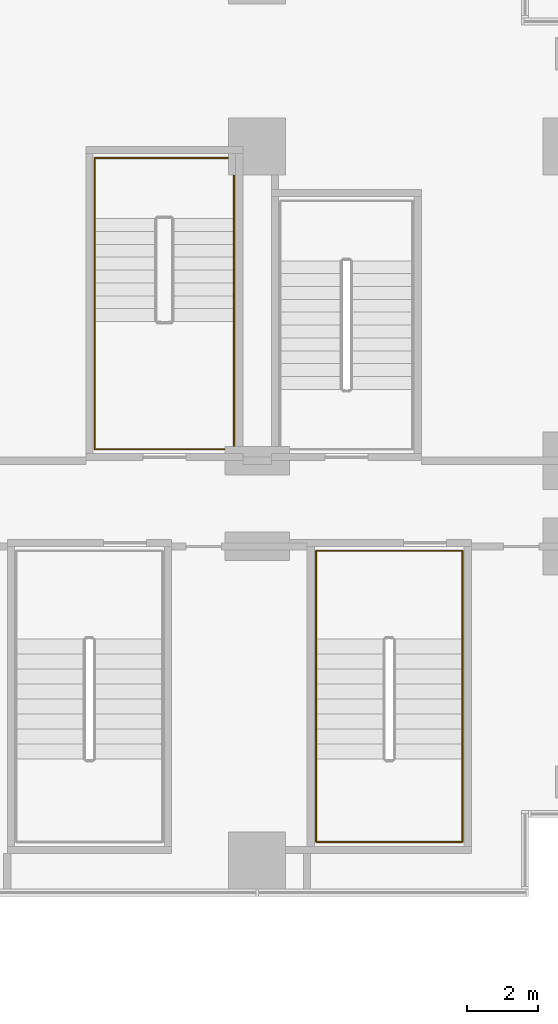
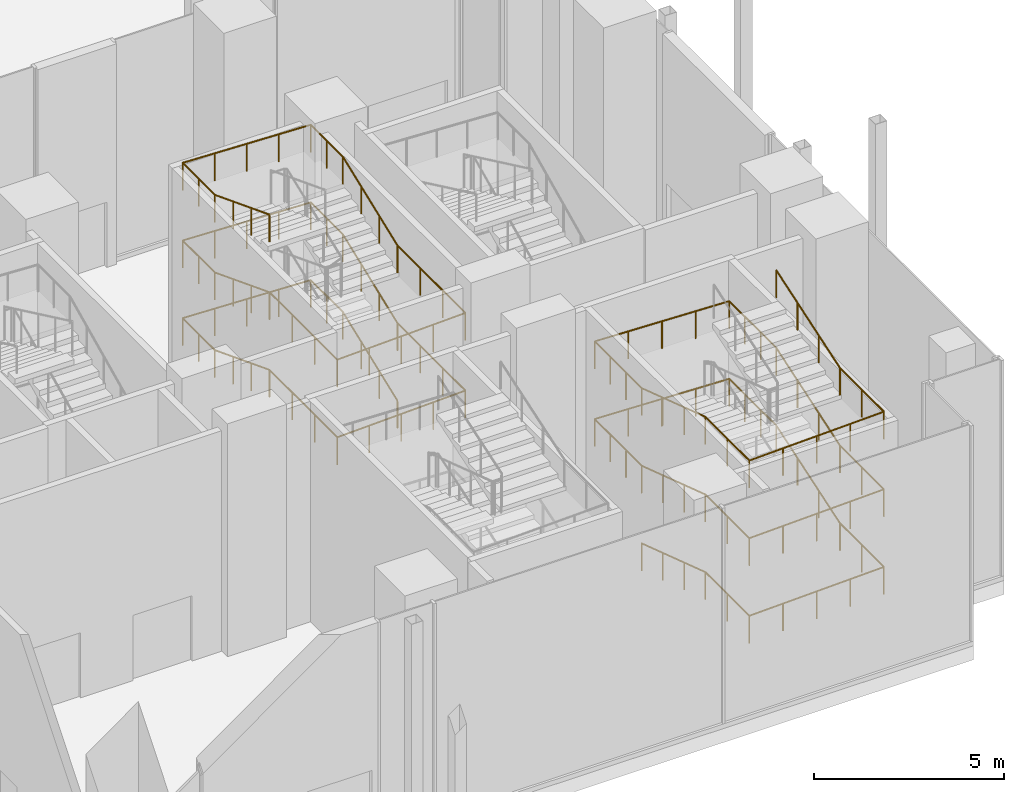
# One storey, part 38 of 41: 2 railings.
"""IFC4 building model written with IfcOpenShell, lengths in metres."""

import ifcopenshell
import ifcopenshell.guid

model = None  # the IFC model being written
_history = None  # IfcOwnerHistory: only IFC2X3 demands one
_inside = {}  # id of a spatial element -> (the spatial element, [elements in it])
_under = {}  # id of a project, library or spatial element -> (it, [spatial elements below it])
_declared = {}  # id of a project -> (the project, [libraries it declares])
_typed = {}  # id of a type object -> (the type object, [elements of that type])
_made_of = {}  # id of a material, layer set ... -> (it, [elements and type objects made of it])


def new_model(schema):
    """Start an empty IFC model of exactly this schema.

    Asked for "IFC4X3", IfcOpenShell would pick the latest addendum, in which some entities
    have other attributes; the version numbers below select the first issue.
    IFC2X3 requires an IfcOwnerHistory on every rooted entity: one is made here for all.
    """
    global model, _history
    if schema == "IFC4X3":
        model = ifcopenshell.file(schema_version=(4, 3, 0, 0))
    else:
        model = ifcopenshell.file(schema=schema)
    _inside.clear()
    _under.clear()
    _declared.clear()
    _typed.clear()
    _made_of.clear()
    _history = None
    if model.schema == "IFC2X3":
        org = make("IfcOrganization", Name="unknown")
        user = make(
            "IfcPersonAndOrganization",
            ThePerson=make("IfcPerson", FamilyName="unknown"),
            TheOrganization=org,
        )
        app = make(
            "IfcApplication",
            ApplicationDeveloper=org,
            Version="unknown",
            ApplicationFullName="unknown",
            ApplicationIdentifier="unknown",
        )
        _history = make(
            "IfcOwnerHistory",
            OwningUser=user,
            OwningApplication=app,
            ChangeAction="ADDED",
            CreationDate=0,
        )
    return model


def make(cls, **values):
    """One entity of the class cls with the attributes given. An attribute that is None is left unset."""
    return model.create_entity(
        cls, **{name: value for name, value in values.items() if value is not None}
    )


def rooted(cls, **values):
    """An entity with a GlobalId (a new one), such as an element, a storey or a relation."""
    return make(cls, GlobalId=ifcopenshell.guid.new(), OwnerHistory=_history, **values)


def si_unit(unit_type, name, prefix=None):
    """IfcSIUnit, for example si_unit("LENGTHUNIT", "METRE", prefix="MILLI")."""
    return make("IfcSIUnit", UnitType=unit_type, Prefix=prefix, Name=name)


def assignment(units):
    """IfcUnitAssignment: the units of a project."""
    return None if units is None else make("IfcUnitAssignment", Units=units)


def point(xyz):
    """IfcCartesianPoint."""
    return None if xyz is None else make("IfcCartesianPoint", Coordinates=xyz)


def direction(xyz):
    """IfcDirection."""
    return None if xyz is None else make("IfcDirection", DirectionRatios=xyz)


def frame(location, z_axis=None, x_axis=None):
    """IfcAxis2Placement3D, a coordinate frame: its origin and axes. An axis left out is left unset."""
    return make(
        "IfcAxis2Placement3D",
        Location=point(location),
        Axis=direction(z_axis),
        RefDirection=direction(x_axis),
    )


def frame_2d(location, x_axis=None):
    """IfcAxis2Placement2D, a coordinate frame in the plane: its origin and x axis."""
    return make(
        "IfcAxis2Placement2D", Location=point(location), RefDirection=direction(x_axis)
    )


def origin():
    """The frame at (0, 0, 0) with its axes left unset."""
    return frame((0.0, 0.0, 0.0))


def origin_2d():
    """The frame at (0, 0) in the plane with its x axis left unset."""
    return frame_2d((0.0, 0.0))


def place(relative_to, where):
    """IfcLocalPlacement: puts the frame where relative to a parent placement (None: the world)."""
    return make(
        "IfcLocalPlacement", PlacementRelTo=relative_to, RelativePlacement=where
    )


def context(
    kind, dimensions, precision=None, world=None, true_north=None, identifier=None
):
    """IfcGeometricRepresentationContext, for example the 3D "Model" context."""
    return make(
        "IfcGeometricRepresentationContext",
        ContextIdentifier=identifier,
        ContextType=kind,
        CoordinateSpaceDimension=dimensions,
        Precision=precision,
        WorldCoordinateSystem=world,
        TrueNorth=true_north,
    )


def subcontext(parent, identifier, kind, view, scale=None):
    """IfcGeometricRepresentationSubContext, for example "Body" below "Model"."""
    return make(
        "IfcGeometricRepresentationSubContext",
        ContextIdentifier=identifier,
        ContextType=kind,
        ParentContext=parent,
        TargetScale=scale,
        TargetView=view,
    )


def project(units=None, contexts=None):
    """IfcProject with its units and contexts."""
    return rooted(
        "IfcProject",
        Name="project",
        RepresentationContexts=contexts,
        UnitsInContext=assignment(units),
    )


def spatial(cls, under=None, at=None, **own):
    """A site, building, storey or space (cls), placed at a placement, below another one or the project."""
    s = rooted(cls, ObjectPlacement=at, **own)
    if under is not None:
        _under.setdefault(under.id(), (under, []))[1].append(s)
    return s


def profile(cls, at=None, kind="AREA", **sizes):
    """A parametric profile (cls). Its sizes go by their IFC names, for example OverallWidth=200.0."""
    return make(cls, ProfileType=kind, Position=at, **sizes)


def circle(**sizes):
    """IfcCircleProfileDef."""
    return profile("IfcCircleProfileDef", **sizes)


def extrude(swept, where, along, depth):
    """IfcExtrudedAreaSolid: the profile swept, set in the frame where, extruded along a direction by depth."""
    return make(
        "IfcExtrudedAreaSolid",
        SweptArea=swept,
        Position=where,
        ExtrudedDirection=direction(along),
        Depth=depth,
    )


def shape(context_of_items, identifier, shape_type, items):
    """IfcShapeRepresentation: the items that make up one representation, for example the "Body"."""
    return make(
        "IfcShapeRepresentation",
        ContextOfItems=context_of_items,
        RepresentationIdentifier=identifier,
        RepresentationType=shape_type,
        Items=items,
    )


def material(Name=None, Category=None):
    """IfcMaterial."""
    return make("IfcMaterial", Name=Name, Category=Category)


def made_of(thing, what):
    """Note that an element or type object is made of a material, layer set ...; save() writes the relation."""
    if what is not None:
        _made_of.setdefault(what.id(), (what, []))[1].append(thing)
    return thing


def type_object(cls, material=None, **own):
    """A type object (cls), such as IfcWallType, which elements share."""
    return made_of(rooted(cls, **own), material)


def element(
    cls,
    number,
    at=None,
    inside=None,
    cuts=None,
    type_object=None,
    material=None,
    context=None,
    identifier="Body",
    shape_type=None,
    held_by="IfcProductDefinitionShape",
    body=None,
    shapes=None,
    **own,
):
    """One element of the class cls, such as IfcWall. Its Tag is "e" and its number.

    at: its placement. inside: the storey or other place that contains it. cuts: it is an
    opening in that element (IfcRelVoidsElement). A single representation is given by context,
    identifier, shape_type and body (its items); several are given by shapes. held_by: the class
    of the entity that holds the representations. save() writes the other relations.
    """
    e = rooted(cls, Tag="e%d" % number, ObjectPlacement=at, **own)
    if body is not None:
        shapes = [shape(context, identifier, shape_type, body)]
    if shapes is not None:
        e.Representation = make(held_by, Representations=shapes)
    if inside is not None:
        _inside.setdefault(inside.id(), (inside, []))[1].append(e)
    if cuts is not None:
        rooted(
            "IfcRelVoidsElement", RelatingBuildingElement=cuts, RelatedOpeningElement=e
        )
    if type_object is not None:
        _typed.setdefault(type_object.id(), (type_object, []))[1].append(e)
    return made_of(e, material)


def aggregate(whole, parts):
    """IfcRelAggregates: a whole, such as a stair, and the parts it consists of."""
    return rooted("IfcRelAggregates", RelatingObject=whole, RelatedObjects=parts)


def save(model, path):
    """Write the relations noted so far, then the file.

    IfcRelAggregates (storeys below a building ...), IfcRelContainedInSpatialStructure (elements
    in a storey), IfcRelDefinesByType, IfcRelAssociatesMaterial and IfcRelDeclares: one each for
    every whole, place, type object, material and project.
    """
    for whole, parts in _under.values():
        aggregate(whole, parts)
    for where, things in _inside.values():
        rooted(
            "IfcRelContainedInSpatialStructure",
            RelatedElements=things,
            RelatingStructure=where,
        )
    for kind, things in _typed.values():
        rooted("IfcRelDefinesByType", RelatedObjects=things, RelatingType=kind)
    for what, things in _made_of.values():
        rooted("IfcRelAssociatesMaterial", RelatedObjects=things, RelatingMaterial=what)
    for by, libraries in _declared.values():
        rooted("IfcRelDeclares", RelatingContext=by, RelatedDefinitions=libraries)
    model.write(path)


model = new_model("IFC4")

# Units and contexts
model_context = context("Model", 3, precision=1e-05, world=origin(), true_north=direction((0.0, 1.0)))
body_context = subcontext(model_context, "Body", "Model", "MODEL_VIEW")
ifc_project = project(units=[si_unit("LENGTHUNIT", "METRE"), si_unit("AREAUNIT", "SQUARE_METRE"), si_unit("VOLUMEUNIT", "CUBIC_METRE"), si_unit("PLANEANGLEUNIT", "RADIAN"), si_unit("MASSUNIT", "GRAM", prefix="KILO")], contexts=[model_context])

# Site, building, storey
site_placement = place(None, origin())
site = spatial("IfcSite", under=ifc_project, at=site_placement, CompositionType="ELEMENT")
building_placement = place(site_placement, origin())
building = spatial("IfcBuilding", under=site, at=building_placement, Name="Kemantara Hotel Tower", CompositionType="ELEMENT")
storey_placement = place(building_placement, origin())
storey = spatial("IfcBuildingStorey", under=building, at=storey_placement, Name="L00", CompositionType="ELEMENT", Elevation=0.0)

# Railings
ifc_material = material(Name="Stainless steel balustrade", Category="steel")
railing_type = type_object("IfcRailingType", Name="Stair handrail 900 mm", PredefinedType="HANDRAIL", material=ifc_material)
railing_1_placement = place(storey_placement, frame((70.75, 16.10009765625, 0.138916015625)))
element("IfcRailing", 1, at=railing_1_placement, inside=storey, type_object=railing_type, Name="L00 PS1 stair handrail 1", PredefinedType="HANDRAIL", context=body_context, shape_type="SweptSolid", body=[
    extrude(circle(Radius=0.02392578125, at=origin_2d()), frame((0.0, 0.0, 0.8759765625), z_axis=(0.0, 0.932972064118, 0.359948784656), x_axis=(-1.0, 0.0, 0.0)), (0.0, 0.0, 1.0), 3.086669921875),
    extrude(circle(Radius=0.02392578125, at=origin_2d()), frame((0.0, 2.8798828125, 1.98681640625), z_axis=(0.0, 1.0, 0.0), x_axis=(-1.0, 0.0, 0.0)), (0.0, 0.0, 1.0), 1.699951171875),
    extrude(circle(Radius=0.02392578125, at=origin_2d()), frame((0.0, 4.579833984375, 1.98681640625), z_axis=(-0.999366197222, 0.0, 0.035597806825), x_axis=(0.0, -1.0, 0.0)), (0.0, 0.0, 1.0), 3.90234375),
    extrude(circle(Radius=0.02392578125, at=origin_2d()), frame((-3.89990234375, 4.579833984375, 2.1259765625), z_axis=(0.0, -1.0, 0.0), x_axis=(1.0, 0.0, 0.0)), (0.0, 0.0, 1.0), 1.699951171875),
    extrude(circle(Radius=0.02392578125, at=origin_2d()), frame((-3.89990234375, 2.8798828125, 2.1259765625), z_axis=(0.0, -0.932972064118, 0.359948784656), x_axis=(1.0, 0.0, 0.0)), (0.0, 0.0, 1.0), 3.086669921875),
    extrude(circle(Radius=0.02392578125, at=origin_2d()), frame((-3.89990234375, 0.0, 3.23681640625), z_axis=(0.0, -1.0, 0.0), x_axis=(1.0, 0.0, 0.0)), (0.0, 0.0, 1.0), 3.580078125),
    extrude(circle(Radius=0.02392578125, at=origin_2d()), frame((-3.89990234375, -3.580078125, 3.23681640625), z_axis=(0.999366197222, 0.0, 0.035597806825), x_axis=(0.0, 1.0, 0.0)), (0.0, 0.0, 1.0), 3.90234375),
    extrude(circle(Radius=0.02392578125, at=origin_2d()), frame((0.0, -3.580078125, 3.3759765625), z_axis=(0.0, 1.0, 0.0), x_axis=(-1.0, 0.0, 0.0)), (0.0, 0.0, 1.0), 3.580078125),
    extrude(circle(Radius=0.02392578125, at=origin_2d()), frame((0.0, 0.0, 3.3759765625), z_axis=(0.0, 0.932972064118, 0.359948784656), x_axis=(-1.0, 0.0, 0.0)), (0.0, 0.0, 1.0), 3.086669921875),
    extrude(circle(Radius=0.02392578125, at=origin_2d()), frame((0.0, 2.8798828125, 4.48681640625), z_axis=(0.0, 1.0, 0.0), x_axis=(-1.0, 0.0, 0.0)), (0.0, 0.0, 1.0), 1.699951171875),
    extrude(circle(Radius=0.02392578125, at=origin_2d()), frame((0.0, 4.579833984375, 4.48681640625), z_axis=(-0.999366197222, 0.0, 0.035597806825), x_axis=(0.0, -1.0, 0.0)), (0.0, 0.0, 1.0), 3.90234375),
    extrude(circle(Radius=0.02392578125, at=origin_2d()), frame((-3.89990234375, 4.579833984375, 4.6259765625), z_axis=(0.0, -1.0, 0.0), x_axis=(1.0, 0.0, 0.0)), (0.0, 0.0, 1.0), 1.699951171875),
    extrude(circle(Radius=0.02392578125, at=origin_2d()), frame((-3.89990234375, 2.8798828125, 4.6259765625), z_axis=(0.0, -0.932972064118, 0.359948784656), x_axis=(1.0, 0.0, 0.0)), (0.0, 0.0, 1.0), 3.086669921875),
    extrude(circle(Radius=0.02392578125, at=origin_2d()), frame((-3.89990234375, 0.0, 5.73681640625), z_axis=(0.0, -1.0, 0.0), x_axis=(1.0, 0.0, 0.0)), (0.0, 0.0, 1.0), 3.580078125),
    extrude(circle(Radius=0.02392578125, at=origin_2d()), frame((-3.89990234375, -3.580078125, 5.73681640625), z_axis=(0.999366197222, 0.0, 0.035597806825), x_axis=(0.0, 1.0, 0.0)), (0.0, 0.0, 1.0), 3.90234375),
    extrude(circle(Radius=0.02392578125, at=origin_2d()), frame((0.0, -3.580078125, 5.8759765625), z_axis=(0.0, 1.0, 0.0), x_axis=(-1.0, 0.0, 0.0)), (0.0, 0.0, 1.0), 3.580078125),
    extrude(circle(Radius=0.02392578125, at=origin_2d()), frame((0.0, 0.0, 5.8759765625), z_axis=(0.0, 0.932972064118, 0.359948784656), x_axis=(-1.0, 0.0, 0.0)), (0.0, 0.0, 1.0), 3.086669921875),
    extrude(circle(Radius=0.02392578125, at=origin_2d()), frame((0.0, 2.8798828125, 6.98681640625), z_axis=(0.0, 1.0, 0.0), x_axis=(-1.0, 0.0, 0.0)), (0.0, 0.0, 1.0), 1.699951171875),
    extrude(circle(Radius=0.02392578125, at=origin_2d()), frame((0.0, 4.579833984375, 6.98681640625), z_axis=(-0.999366197222, 0.0, 0.035597806825), x_axis=(0.0, -1.0, 0.0)), (0.0, 0.0, 1.0), 3.90234375),
    extrude(circle(Radius=0.02392578125, at=origin_2d()), frame((-3.89990234375, 4.579833984375, 7.1259765625), z_axis=(0.0, -1.0, 0.0), x_axis=(1.0, 0.0, 0.0)), (0.0, 0.0, 1.0), 1.699951171875),
    extrude(circle(Radius=0.02392578125, at=origin_2d()), frame((-3.89990234375, 2.8798828125, 7.1259765625), z_axis=(0.0, -0.932972064118, 0.359948784656), x_axis=(1.0, 0.0, 0.0)), (0.0, 0.0, 1.0), 3.086669921875),
    extrude(circle(Radius=0.02099609375, at=origin_2d()), origin(), (0.0, 0.0, 1.0), 0.851806640625),
    extrude(circle(Radius=0.02099609375, at=origin_2d()), frame((0.0, 0.9599609375, 0.370361328125)), (0.0, 0.0, 1.0), 0.851806640625),
    extrude(circle(Radius=0.02099609375, at=origin_2d()), frame((0.0, 1.919921875, 0.74072265625)), (0.0, 0.0, 1.0), 0.851806640625),
    extrude(circle(Radius=0.02099609375, at=origin_2d()), frame((0.0, 2.8798828125, 1.111083984375)), (0.0, 0.0, 1.0), 0.851806640625),
    extrude(circle(Radius=0.02099609375, at=origin_2d()), frame((0.0, 3.72998046875, 1.111083984375)), (0.0, 0.0, 1.0), 0.851806640625),
    extrude(circle(Radius=0.02099609375, at=origin_2d()), frame((0.0, 4.579833984375, 1.111083984375)), (0.0, 0.0, 1.0), 0.851806640625),
    extrude(circle(Radius=0.02099609375, at=origin_2d()), frame((-0.97509765625, 4.579833984375, 1.145751953125)), (0.0, 0.0, 1.0), 0.851806640625),
    extrude(circle(Radius=0.02099609375, at=origin_2d()), frame((-1.949951171875, 4.579833984375, 1.1806640625)), (0.0, 0.0, 1.0), 0.851806640625),
    extrude(circle(Radius=0.02099609375, at=origin_2d()), frame((-2.9248046875, 4.579833984375, 1.21533203125)), (0.0, 0.0, 1.0), 0.851806640625),
    extrude(circle(Radius=0.02099609375, at=origin_2d()), frame((-3.89990234375, 4.579833984375, 1.25)), (0.0, 0.0, 1.0), 0.851806640625),
    extrude(circle(Radius=0.02099609375, at=origin_2d()), frame((-3.89990234375, 3.72998046875, 1.25)), (0.0, 0.0, 1.0), 0.851806640625),
    extrude(circle(Radius=0.02099609375, at=origin_2d()), frame((-3.89990234375, 2.8798828125, 1.25)), (0.0, 0.0, 1.0), 0.851806640625),
    extrude(circle(Radius=0.02099609375, at=origin_2d()), frame((-3.89990234375, 1.919921875, 1.620361328125)), (0.0, 0.0, 1.0), 0.851806640625),
    extrude(circle(Radius=0.02099609375, at=origin_2d()), frame((-3.89990234375, 0.9599609375, 1.99072265625)), (0.0, 0.0, 1.0), 0.851806640625),
    extrude(circle(Radius=0.02099609375, at=origin_2d()), frame((-3.89990234375, 0.0, 2.361083984375)), (0.0, 0.0, 1.0), 0.851806640625),
    extrude(circle(Radius=0.02099609375, at=origin_2d()), frame((-3.89990234375, -1.193359375, 2.361083984375)), (0.0, 0.0, 1.0), 0.851806640625),
    extrude(circle(Radius=0.02099609375, at=origin_2d()), frame((-3.89990234375, -2.38671875, 2.361083984375)), (0.0, 0.0, 1.0), 0.851806640625),
    extrude(circle(Radius=0.02099609375, at=origin_2d()), frame((-3.89990234375, -3.580078125, 2.361083984375)), (0.0, 0.0, 1.0), 0.851806640625),
    extrude(circle(Radius=0.02099609375, at=origin_2d()), frame((-2.9248046875, -3.580078125, 2.395751953125)), (0.0, 0.0, 1.0), 0.851806640625),
    extrude(circle(Radius=0.02099609375, at=origin_2d()), frame((-1.949951171875, -3.580078125, 2.4306640625)), (0.0, 0.0, 1.0), 0.851806640625),
    extrude(circle(Radius=0.02099609375, at=origin_2d()), frame((-0.97509765625, -3.580078125, 2.46533203125)), (0.0, 0.0, 1.0), 0.851806640625),
    extrude(circle(Radius=0.02099609375, at=origin_2d()), frame((0.0, -3.580078125, 2.5)), (0.0, 0.0, 1.0), 0.851806640625),
    extrude(circle(Radius=0.02099609375, at=origin_2d()), frame((0.0, -2.38671875, 2.5)), (0.0, 0.0, 1.0), 0.851806640625),
    extrude(circle(Radius=0.02099609375, at=origin_2d()), frame((0.0, -1.193359375, 2.5)), (0.0, 0.0, 1.0), 0.851806640625),
    extrude(circle(Radius=0.02099609375, at=origin_2d()), frame((0.0, 0.0, 2.5)), (0.0, 0.0, 1.0), 0.851806640625),
    extrude(circle(Radius=0.02099609375, at=origin_2d()), frame((0.0, 0.9599609375, 2.870361328125)), (0.0, 0.0, 1.0), 0.851806640625),
    extrude(circle(Radius=0.02099609375, at=origin_2d()), frame((0.0, 1.919921875, 3.24072265625)), (0.0, 0.0, 1.0), 0.851806640625),
    extrude(circle(Radius=0.02099609375, at=origin_2d()), frame((0.0, 2.8798828125, 3.611083984375)), (0.0, 0.0, 1.0), 0.851806640625),
    extrude(circle(Radius=0.02099609375, at=origin_2d()), frame((0.0, 3.72998046875, 3.611083984375)), (0.0, 0.0, 1.0), 0.851806640625),
    extrude(circle(Radius=0.02099609375, at=origin_2d()), frame((0.0, 4.579833984375, 3.611083984375)), (0.0, 0.0, 1.0), 0.851806640625),
    extrude(circle(Radius=0.02099609375, at=origin_2d()), frame((-0.97509765625, 4.579833984375, 3.645751953125)), (0.0, 0.0, 1.0), 0.851806640625),
    extrude(circle(Radius=0.02099609375, at=origin_2d()), frame((-1.949951171875, 4.579833984375, 3.6806640625)), (0.0, 0.0, 1.0), 0.851806640625),
    extrude(circle(Radius=0.02099609375, at=origin_2d()), frame((-2.9248046875, 4.579833984375, 3.71533203125)), (0.0, 0.0, 1.0), 0.851806640625),
    extrude(circle(Radius=0.02099609375, at=origin_2d()), frame((-3.89990234375, 4.579833984375, 3.75)), (0.0, 0.0, 1.0), 0.851806640625),
    extrude(circle(Radius=0.02099609375, at=origin_2d()), frame((-3.89990234375, 3.72998046875, 3.75)), (0.0, 0.0, 1.0), 0.851806640625),
    extrude(circle(Radius=0.02099609375, at=origin_2d()), frame((-3.89990234375, 2.8798828125, 3.75)), (0.0, 0.0, 1.0), 0.851806640625),
    extrude(circle(Radius=0.02099609375, at=origin_2d()), frame((-3.89990234375, 1.919921875, 4.120361328125)), (0.0, 0.0, 1.0), 0.851806640625),
    extrude(circle(Radius=0.02099609375, at=origin_2d()), frame((-3.89990234375, 0.9599609375, 4.49072265625)), (0.0, 0.0, 1.0), 0.851806640625),
    extrude(circle(Radius=0.02099609375, at=origin_2d()), frame((-3.89990234375, 0.0, 4.861083984375)), (0.0, 0.0, 1.0), 0.851806640625),
    extrude(circle(Radius=0.02099609375, at=origin_2d()), frame((-3.89990234375, -1.193359375, 4.861083984375)), (0.0, 0.0, 1.0), 0.851806640625),
    extrude(circle(Radius=0.02099609375, at=origin_2d()), frame((-3.89990234375, -2.38671875, 4.861083984375)), (0.0, 0.0, 1.0), 0.851806640625),
    extrude(circle(Radius=0.02099609375, at=origin_2d()), frame((-3.89990234375, -3.580078125, 4.861083984375)), (0.0, 0.0, 1.0), 0.851806640625),
    extrude(circle(Radius=0.02099609375, at=origin_2d()), frame((-2.9248046875, -3.580078125, 4.895751953125)), (0.0, 0.0, 1.0), 0.851806640625),
    extrude(circle(Radius=0.02099609375, at=origin_2d()), frame((-1.949951171875, -3.580078125, 4.9306640625)), (0.0, 0.0, 1.0), 0.851806640625),
    extrude(circle(Radius=0.02099609375, at=origin_2d()), frame((-0.97509765625, -3.580078125, 4.96533203125)), (0.0, 0.0, 1.0), 0.851806640625),
    extrude(circle(Radius=0.02099609375, at=origin_2d()), frame((0.0, -3.580078125, 5.0)), (0.0, 0.0, 1.0), 0.851806640625),
    extrude(circle(Radius=0.02099609375, at=origin_2d()), frame((0.0, -2.38671875, 5.0)), (0.0, 0.0, 1.0), 0.851806640625),
    extrude(circle(Radius=0.02099609375, at=origin_2d()), frame((0.0, -1.193359375, 5.0)), (0.0, 0.0, 1.0), 0.851806640625),
    extrude(circle(Radius=0.02099609375, at=origin_2d()), frame((0.0, 0.0, 5.0)), (0.0, 0.0, 1.0), 0.851806640625),
    extrude(circle(Radius=0.02099609375, at=origin_2d()), frame((0.0, 0.9599609375, 5.370361328125)), (0.0, 0.0, 1.0), 0.851806640625),
    extrude(circle(Radius=0.02099609375, at=origin_2d()), frame((0.0, 1.919921875, 5.74072265625)), (0.0, 0.0, 1.0), 0.851806640625),
    extrude(circle(Radius=0.02099609375, at=origin_2d()), frame((0.0, 2.8798828125, 6.111083984375)), (0.0, 0.0, 1.0), 0.851806640625),
    extrude(circle(Radius=0.02099609375, at=origin_2d()), frame((0.0, 3.72998046875, 6.111083984375)), (0.0, 0.0, 1.0), 0.851806640625),
    extrude(circle(Radius=0.02099609375, at=origin_2d()), frame((0.0, 4.579833984375, 6.111083984375)), (0.0, 0.0, 1.0), 0.851806640625),
    extrude(circle(Radius=0.02099609375, at=origin_2d()), frame((-0.97509765625, 4.579833984375, 6.145751953125)), (0.0, 0.0, 1.0), 0.851806640625),
    extrude(circle(Radius=0.02099609375, at=origin_2d()), frame((-1.949951171875, 4.579833984375, 6.1806640625)), (0.0, 0.0, 1.0), 0.851806640625),
    extrude(circle(Radius=0.02099609375, at=origin_2d()), frame((-2.9248046875, 4.579833984375, 6.21533203125)), (0.0, 0.0, 1.0), 0.851806640625),
    extrude(circle(Radius=0.02099609375, at=origin_2d()), frame((-3.89990234375, 4.579833984375, 6.25)), (0.0, 0.0, 1.0), 0.851806640625),
    extrude(circle(Radius=0.02099609375, at=origin_2d()), frame((-3.89990234375, 3.72998046875, 6.25)), (0.0, 0.0, 1.0), 0.851806640625),
    extrude(circle(Radius=0.02099609375, at=origin_2d()), frame((-3.89990234375, 2.8798828125, 6.25)), (0.0, 0.0, 1.0), 0.851806640625),
    extrude(circle(Radius=0.02099609375, at=origin_2d()), frame((-3.89990234375, 1.919921875, 6.620361328125)), (0.0, 0.0, 1.0), 0.851806640625),
    extrude(circle(Radius=0.02099609375, at=origin_2d()), frame((-3.89990234375, 0.9599609375, 6.99072265625)), (0.0, 0.0, 1.0), 0.851806640625),
    extrude(circle(Radius=0.02099609375, at=origin_2d()), frame((-3.89990234375, 0.0, 7.361083984375)), (0.0, 0.0, 1.0), 0.851806640625),
])
railing_2_placement = place(storey_placement, frame((73.050048828125, 7.199951171875, 0.138916015625)))
element("IfcRailing", 2, at=railing_2_placement, inside=storey, type_object=railing_type, Name="L00 PS5 stair handrail 1", PredefinedType="HANDRAIL", context=body_context, shape_type="SweptSolid", body=[
    extrude(circle(Radius=0.02392578125, at=origin_2d()), frame((0.0, 0.0, 0.8759765625), z_axis=(0.0, -0.949432600572, 0.313970917396), x_axis=(1.0, 0.0, 0.0)), (0.0, 0.0, 1.0), 3.538818359375),
    extrude(circle(Radius=0.02392578125, at=origin_2d()), frame((0.0, -3.35986328125, 1.98681640625), z_axis=(0.0, -1.0, 0.0), x_axis=(1.0, 0.0, 0.0)), (0.0, 0.0, 1.0), 2.320068359375),
    extrude(circle(Radius=0.02392578125, at=origin_2d()), frame((0.0, -5.679931640625, 1.98681640625), z_axis=(0.999426459345, 0.0, 0.033863732232), x_axis=(0.0, 1.0, 0.0)), (0.0, 0.0, 1.0), 4.102294921875),
    extrude(circle(Radius=0.02392578125, at=origin_2d()), frame((4.099853515625, -5.679931640625, 2.1259765625), z_axis=(0.0, 1.0, 0.0), x_axis=(-1.0, 0.0, 0.0)), (0.0, 0.0, 1.0), 2.320068359375),
    extrude(circle(Radius=0.02392578125, at=origin_2d()), frame((4.099853515625, -3.35986328125, 2.1259765625), z_axis=(0.0, 0.949432600572, 0.313970917396), x_axis=(-1.0, 0.0, 0.0)), (0.0, 0.0, 1.0), 3.538818359375),
    extrude(circle(Radius=0.02392578125, at=origin_2d()), frame((4.099853515625, 0.0, 3.23681640625), z_axis=(0.0, 1.0, 0.0), x_axis=(-1.0, 0.0, 0.0)), (0.0, 0.0, 1.0), 2.47998046875),
    extrude(circle(Radius=0.02392578125, at=origin_2d()), frame((4.099853515625, 2.47998046875, 3.23681640625), z_axis=(-0.999426459345, 0.0, 0.033863732232), x_axis=(0.0, -1.0, 0.0)), (0.0, 0.0, 1.0), 4.102294921875),
    extrude(circle(Radius=0.02392578125, at=origin_2d()), frame((0.0, 2.47998046875, 3.3759765625), z_axis=(0.0, -1.0, 0.0), x_axis=(1.0, 0.0, 0.0)), (0.0, 0.0, 1.0), 2.47998046875),
    extrude(circle(Radius=0.02392578125, at=origin_2d()), frame((0.0, 0.0, 3.3759765625), z_axis=(0.0, -0.949432600572, 0.313970917396), x_axis=(1.0, 0.0, 0.0)), (0.0, 0.0, 1.0), 3.538818359375),
    extrude(circle(Radius=0.02392578125, at=origin_2d()), frame((0.0, -3.35986328125, 4.48681640625), z_axis=(0.0, -1.0, 0.0), x_axis=(1.0, 0.0, 0.0)), (0.0, 0.0, 1.0), 2.320068359375),
    extrude(circle(Radius=0.02392578125, at=origin_2d()), frame((0.0, -5.679931640625, 4.48681640625), z_axis=(0.999426459345, 0.0, 0.033863732232), x_axis=(0.0, 1.0, 0.0)), (0.0, 0.0, 1.0), 4.102294921875),
    extrude(circle(Radius=0.02392578125, at=origin_2d()), frame((4.099853515625, -5.679931640625, 4.6259765625), z_axis=(0.0, 1.0, 0.0), x_axis=(-1.0, 0.0, 0.0)), (0.0, 0.0, 1.0), 2.320068359375),
    extrude(circle(Radius=0.02392578125, at=origin_2d()), frame((4.099853515625, -3.35986328125, 4.6259765625), z_axis=(0.0, 0.949432600572, 0.313970917396), x_axis=(-1.0, 0.0, 0.0)), (0.0, 0.0, 1.0), 3.538818359375),
    extrude(circle(Radius=0.02392578125, at=origin_2d()), frame((4.099853515625, 0.0, 5.73681640625), z_axis=(0.0, 1.0, 0.0), x_axis=(-1.0, 0.0, 0.0)), (0.0, 0.0, 1.0), 2.47998046875),
    extrude(circle(Radius=0.02392578125, at=origin_2d()), frame((4.099853515625, 2.47998046875, 5.73681640625), z_axis=(-0.999426459345, 0.0, 0.033863732232), x_axis=(0.0, -1.0, 0.0)), (0.0, 0.0, 1.0), 4.102294921875),
    extrude(circle(Radius=0.02392578125, at=origin_2d()), frame((0.0, 2.47998046875, 5.8759765625), z_axis=(0.0, -1.0, 0.0), x_axis=(1.0, 0.0, 0.0)), (0.0, 0.0, 1.0), 2.47998046875),
    extrude(circle(Radius=0.02392578125, at=origin_2d()), frame((0.0, 0.0, 5.8759765625), z_axis=(0.0, -0.949432600572, 0.313970917396), x_axis=(1.0, 0.0, 0.0)), (0.0, 0.0, 1.0), 3.538818359375),
    extrude(circle(Radius=0.02392578125, at=origin_2d()), frame((0.0, -3.35986328125, 6.98681640625), z_axis=(0.0, -1.0, 0.0), x_axis=(1.0, 0.0, 0.0)), (0.0, 0.0, 1.0), 2.320068359375),
    extrude(circle(Radius=0.02392578125, at=origin_2d()), frame((0.0, -5.679931640625, 6.98681640625), z_axis=(0.999426459345, 0.0, 0.033863732232), x_axis=(0.0, 1.0, 0.0)), (0.0, 0.0, 1.0), 4.102294921875),
    extrude(circle(Radius=0.02392578125, at=origin_2d()), frame((4.099853515625, -5.679931640625, 7.1259765625), z_axis=(0.0, 1.0, 0.0), x_axis=(-1.0, 0.0, 0.0)), (0.0, 0.0, 1.0), 2.320068359375),
    extrude(circle(Radius=0.02392578125, at=origin_2d()), frame((4.099853515625, -3.35986328125, 7.1259765625), z_axis=(0.0, 0.949432600572, 0.313970917396), x_axis=(-1.0, 0.0, 0.0)), (0.0, 0.0, 1.0), 3.538818359375),
    extrude(circle(Radius=0.02099609375, at=origin_2d()), origin(), (0.0, 0.0, 1.0), 0.851806640625),
    extrude(circle(Radius=0.02099609375, at=origin_2d()), frame((0.0, -1.119873046875, 0.370361328125)), (0.0, 0.0, 1.0), 0.851806640625),
    extrude(circle(Radius=0.02099609375, at=origin_2d()), frame((0.0, -2.239990234375, 0.74072265625)), (0.0, 0.0, 1.0), 0.851806640625),
    extrude(circle(Radius=0.02099609375, at=origin_2d()), frame((0.0, -3.35986328125, 1.111083984375)), (0.0, 0.0, 1.0), 0.851806640625),
    extrude(circle(Radius=0.02099609375, at=origin_2d()), frame((0.0, -4.52001953125, 1.111083984375)), (0.0, 0.0, 1.0), 0.851806640625),
    extrude(circle(Radius=0.02099609375, at=origin_2d()), frame((0.0, -5.679931640625, 1.111083984375)), (0.0, 0.0, 1.0), 0.851806640625),
    extrude(circle(Radius=0.02099609375, at=origin_2d()), frame((1.02490234375, -5.679931640625, 1.145751953125)), (0.0, 0.0, 1.0), 0.851806640625),
    extrude(circle(Radius=0.02099609375, at=origin_2d()), frame((2.0498046875, -5.679931640625, 1.1806640625)), (0.0, 0.0, 1.0), 0.851806640625),
    extrude(circle(Radius=0.02099609375, at=origin_2d()), frame((3.074951171875, -5.679931640625, 1.21533203125)), (0.0, 0.0, 1.0), 0.851806640625),
    extrude(circle(Radius=0.02099609375, at=origin_2d()), frame((4.099853515625, -5.679931640625, 1.25)), (0.0, 0.0, 1.0), 0.851806640625),
    extrude(circle(Radius=0.02099609375, at=origin_2d()), frame((4.099853515625, -4.52001953125, 1.25)), (0.0, 0.0, 1.0), 0.851806640625),
    extrude(circle(Radius=0.02099609375, at=origin_2d()), frame((4.099853515625, -3.35986328125, 1.25)), (0.0, 0.0, 1.0), 0.851806640625),
    extrude(circle(Radius=0.02099609375, at=origin_2d()), frame((4.099853515625, -2.239990234375, 1.620361328125)), (0.0, 0.0, 1.0), 0.851806640625),
    extrude(circle(Radius=0.02099609375, at=origin_2d()), frame((4.099853515625, -1.119873046875, 1.99072265625)), (0.0, 0.0, 1.0), 0.851806640625),
    extrude(circle(Radius=0.02099609375, at=origin_2d()), frame((4.099853515625, 0.0, 2.361083984375)), (0.0, 0.0, 1.0), 0.851806640625),
    extrude(circle(Radius=0.02099609375, at=origin_2d()), frame((4.099853515625, 0.82666015625, 2.361083984375)), (0.0, 0.0, 1.0), 0.851806640625),
    extrude(circle(Radius=0.02099609375, at=origin_2d()), frame((4.099853515625, 1.6533203125, 2.361083984375)), (0.0, 0.0, 1.0), 0.851806640625),
    extrude(circle(Radius=0.02099609375, at=origin_2d()), frame((4.099853515625, 2.47998046875, 2.361083984375)), (0.0, 0.0, 1.0), 0.851806640625),
    extrude(circle(Radius=0.02099609375, at=origin_2d()), frame((3.074951171875, 2.47998046875, 2.395751953125)), (0.0, 0.0, 1.0), 0.851806640625),
    extrude(circle(Radius=0.02099609375, at=origin_2d()), frame((2.0498046875, 2.47998046875, 2.4306640625)), (0.0, 0.0, 1.0), 0.851806640625),
    extrude(circle(Radius=0.02099609375, at=origin_2d()), frame((1.02490234375, 2.47998046875, 2.46533203125)), (0.0, 0.0, 1.0), 0.851806640625),
    extrude(circle(Radius=0.02099609375, at=origin_2d()), frame((0.0, 2.47998046875, 2.5)), (0.0, 0.0, 1.0), 0.851806640625),
    extrude(circle(Radius=0.02099609375, at=origin_2d()), frame((0.0, 1.6533203125, 2.5)), (0.0, 0.0, 1.0), 0.851806640625),
    extrude(circle(Radius=0.02099609375, at=origin_2d()), frame((0.0, 0.82666015625, 2.5)), (0.0, 0.0, 1.0), 0.851806640625),
    extrude(circle(Radius=0.02099609375, at=origin_2d()), frame((0.0, 0.0, 2.5)), (0.0, 0.0, 1.0), 0.851806640625),
    extrude(circle(Radius=0.02099609375, at=origin_2d()), frame((0.0, -1.119873046875, 2.870361328125)), (0.0, 0.0, 1.0), 0.851806640625),
    extrude(circle(Radius=0.02099609375, at=origin_2d()), frame((0.0, -2.239990234375, 3.24072265625)), (0.0, 0.0, 1.0), 0.851806640625),
    extrude(circle(Radius=0.02099609375, at=origin_2d()), frame((0.0, -3.35986328125, 3.611083984375)), (0.0, 0.0, 1.0), 0.851806640625),
    extrude(circle(Radius=0.02099609375, at=origin_2d()), frame((0.0, -4.52001953125, 3.611083984375)), (0.0, 0.0, 1.0), 0.851806640625),
    extrude(circle(Radius=0.02099609375, at=origin_2d()), frame((0.0, -5.679931640625, 3.611083984375)), (0.0, 0.0, 1.0), 0.851806640625),
    extrude(circle(Radius=0.02099609375, at=origin_2d()), frame((1.02490234375, -5.679931640625, 3.645751953125)), (0.0, 0.0, 1.0), 0.851806640625),
    extrude(circle(Radius=0.02099609375, at=origin_2d()), frame((2.0498046875, -5.679931640625, 3.6806640625)), (0.0, 0.0, 1.0), 0.851806640625),
    extrude(circle(Radius=0.02099609375, at=origin_2d()), frame((3.074951171875, -5.679931640625, 3.71533203125)), (0.0, 0.0, 1.0), 0.851806640625),
    extrude(circle(Radius=0.02099609375, at=origin_2d()), frame((4.099853515625, -5.679931640625, 3.75)), (0.0, 0.0, 1.0), 0.851806640625),
    extrude(circle(Radius=0.02099609375, at=origin_2d()), frame((4.099853515625, -4.52001953125, 3.75)), (0.0, 0.0, 1.0), 0.851806640625),
    extrude(circle(Radius=0.02099609375, at=origin_2d()), frame((4.099853515625, -3.35986328125, 3.75)), (0.0, 0.0, 1.0), 0.851806640625),
    extrude(circle(Radius=0.02099609375, at=origin_2d()), frame((4.099853515625, -2.239990234375, 4.120361328125)), (0.0, 0.0, 1.0), 0.851806640625),
    extrude(circle(Radius=0.02099609375, at=origin_2d()), frame((4.099853515625, -1.119873046875, 4.49072265625)), (0.0, 0.0, 1.0), 0.851806640625),
    extrude(circle(Radius=0.02099609375, at=origin_2d()), frame((4.099853515625, 0.0, 4.861083984375)), (0.0, 0.0, 1.0), 0.851806640625),
    extrude(circle(Radius=0.02099609375, at=origin_2d()), frame((4.099853515625, 0.82666015625, 4.861083984375)), (0.0, 0.0, 1.0), 0.851806640625),
    extrude(circle(Radius=0.02099609375, at=origin_2d()), frame((4.099853515625, 1.6533203125, 4.861083984375)), (0.0, 0.0, 1.0), 0.851806640625),
    extrude(circle(Radius=0.02099609375, at=origin_2d()), frame((4.099853515625, 2.47998046875, 4.861083984375)), (0.0, 0.0, 1.0), 0.851806640625),
    extrude(circle(Radius=0.02099609375, at=origin_2d()), frame((3.074951171875, 2.47998046875, 4.895751953125)), (0.0, 0.0, 1.0), 0.851806640625),
    extrude(circle(Radius=0.02099609375, at=origin_2d()), frame((2.0498046875, 2.47998046875, 4.9306640625)), (0.0, 0.0, 1.0), 0.851806640625),
    extrude(circle(Radius=0.02099609375, at=origin_2d()), frame((1.02490234375, 2.47998046875, 4.96533203125)), (0.0, 0.0, 1.0), 0.851806640625),
    extrude(circle(Radius=0.02099609375, at=origin_2d()), frame((0.0, 2.47998046875, 5.0)), (0.0, 0.0, 1.0), 0.851806640625),
    extrude(circle(Radius=0.02099609375, at=origin_2d()), frame((0.0, 1.6533203125, 5.0)), (0.0, 0.0, 1.0), 0.851806640625),
    extrude(circle(Radius=0.02099609375, at=origin_2d()), frame((0.0, 0.82666015625, 5.0)), (0.0, 0.0, 1.0), 0.851806640625),
    extrude(circle(Radius=0.02099609375, at=origin_2d()), frame((0.0, 0.0, 5.0)), (0.0, 0.0, 1.0), 0.851806640625),
    extrude(circle(Radius=0.02099609375, at=origin_2d()), frame((0.0, -1.119873046875, 5.370361328125)), (0.0, 0.0, 1.0), 0.851806640625),
    extrude(circle(Radius=0.02099609375, at=origin_2d()), frame((0.0, -2.239990234375, 5.74072265625)), (0.0, 0.0, 1.0), 0.851806640625),
    extrude(circle(Radius=0.02099609375, at=origin_2d()), frame((0.0, -3.35986328125, 6.111083984375)), (0.0, 0.0, 1.0), 0.851806640625),
    extrude(circle(Radius=0.02099609375, at=origin_2d()), frame((0.0, -4.52001953125, 6.111083984375)), (0.0, 0.0, 1.0), 0.851806640625),
    extrude(circle(Radius=0.02099609375, at=origin_2d()), frame((0.0, -5.679931640625, 6.111083984375)), (0.0, 0.0, 1.0), 0.851806640625),
    extrude(circle(Radius=0.02099609375, at=origin_2d()), frame((1.02490234375, -5.679931640625, 6.145751953125)), (0.0, 0.0, 1.0), 0.851806640625),
    extrude(circle(Radius=0.02099609375, at=origin_2d()), frame((2.0498046875, -5.679931640625, 6.1806640625)), (0.0, 0.0, 1.0), 0.851806640625),
    extrude(circle(Radius=0.02099609375, at=origin_2d()), frame((3.074951171875, -5.679931640625, 6.21533203125)), (0.0, 0.0, 1.0), 0.851806640625),
    extrude(circle(Radius=0.02099609375, at=origin_2d()), frame((4.099853515625, -5.679931640625, 6.25)), (0.0, 0.0, 1.0), 0.851806640625),
    extrude(circle(Radius=0.02099609375, at=origin_2d()), frame((4.099853515625, -4.52001953125, 6.25)), (0.0, 0.0, 1.0), 0.851806640625),
    extrude(circle(Radius=0.02099609375, at=origin_2d()), frame((4.099853515625, -3.35986328125, 6.25)), (0.0, 0.0, 1.0), 0.851806640625),
    extrude(circle(Radius=0.02099609375, at=origin_2d()), frame((4.099853515625, -2.239990234375, 6.620361328125)), (0.0, 0.0, 1.0), 0.851806640625),
    extrude(circle(Radius=0.02099609375, at=origin_2d()), frame((4.099853515625, -1.119873046875, 6.99072265625)), (0.0, 0.0, 1.0), 0.851806640625),
    extrude(circle(Radius=0.02099609375, at=origin_2d()), frame((4.099853515625, 0.0, 7.361083984375)), (0.0, 0.0, 1.0), 0.851806640625),
])

save(model, "model.ifc")
